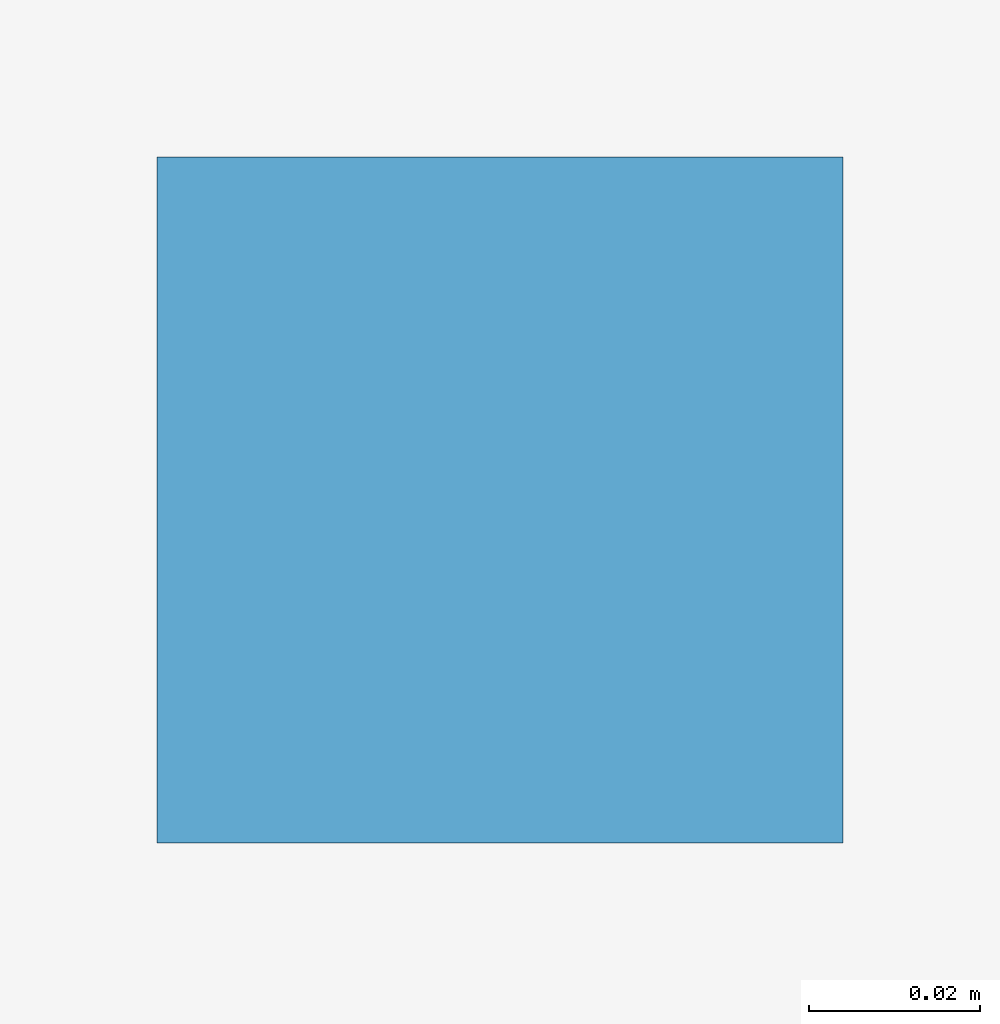
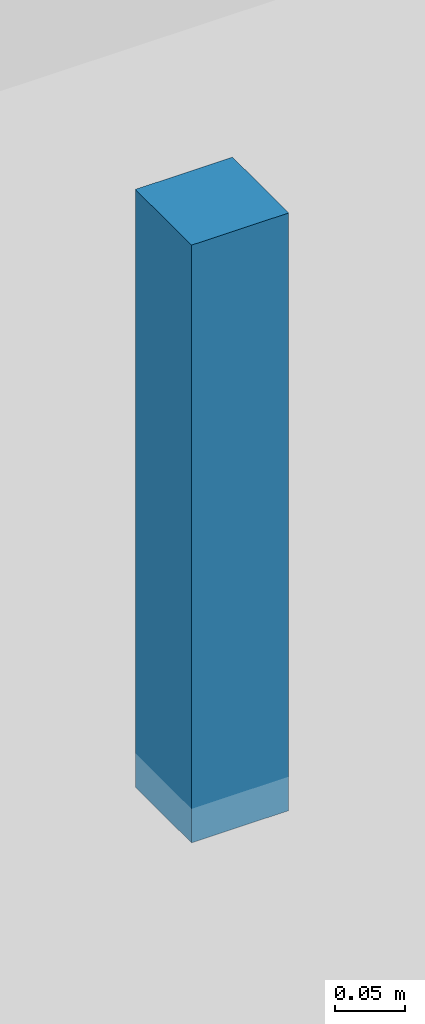
# One storey, part 12 of 16: 1 discrete accessory.
"""IFC4 building model written with IfcOpenShell, lengths in metres."""

from ifc_helpers import new_model, si_unit, direction, frame, origin, origin_2d, place, context, subcontext, project, spatial, rectangle, extrude, source, transform, mapped, material, type_object, element, save


model = new_model("IFC4")

# Units and contexts
model_context = context("Model", 3, precision=1e-05, world=origin(), true_north=direction((0.0, 1.0)))
body_context = subcontext(model_context, "Body", "Model", "MODEL_VIEW")
ifc_project = project(units=[si_unit("LENGTHUNIT", "METRE"), si_unit("AREAUNIT", "SQUARE_METRE"), si_unit("VOLUMEUNIT", "CUBIC_METRE"), si_unit("PLANEANGLEUNIT", "RADIAN"), si_unit("MASSUNIT", "GRAM", prefix="KILO")], contexts=[model_context])

# Site, building, storey
site_placement = place(None, origin())
site = spatial("IfcSite", under=ifc_project, at=site_placement, CompositionType="ELEMENT")
building_placement = place(site_placement, origin())
building = spatial("IfcBuilding", under=site, at=building_placement, Name="Giltprow Tower", CompositionType="ELEMENT")
storey_placement = place(building_placement, frame((0.0, 0.0, 233.800048828125)))
storey = spatial("IfcBuildingStorey", under=building, at=storey_placement, Name="L59", CompositionType="ELEMENT", Elevation=233.800048828125)

# Discrete accessory
ifc_material = material(Name="Structural steel Q355B", Category="steel")
discrete_accessory_type = type_object("IfcDiscreteAccessoryType", Name="ACC-CLG-HANGER", PredefinedType="BRACKET", material=ifc_material)
shared_shape = source(origin(), body_context, "Body", "SweptSolid", [
    extrude(rectangle(XDim=0.080078125, YDim=0.080078125, at=origin_2d()), origin(), (0.0, 0.0, 1.0), 0.52001953125),
])
discrete_accessory_placement = place(storey_placement, frame((35.0, 36.14990234375, 2.619873046875), z_axis=(0.0, 0.0, 1.0), x_axis=(1.0, 0.0, 0.0)))
element("IfcDiscreteAccessory", 1, at=discrete_accessory_placement, inside=storey, type_object=discrete_accessory_type, Name="L59 Residence Gallery Ceiling Suspension Hanger", PredefinedType="BRACKET", context=body_context, shape_type="MappedRepresentation", body=[
    mapped(shared_shape, transform((0.0, 0.0, 0.0), x_axis=(1.0, 0.0, 0.0), y_axis=(0.0, 1.0, 0.0), z_axis=(0.0, 0.0, 1.0), scale=1.0)),
])

save(model, "model.ifc")
